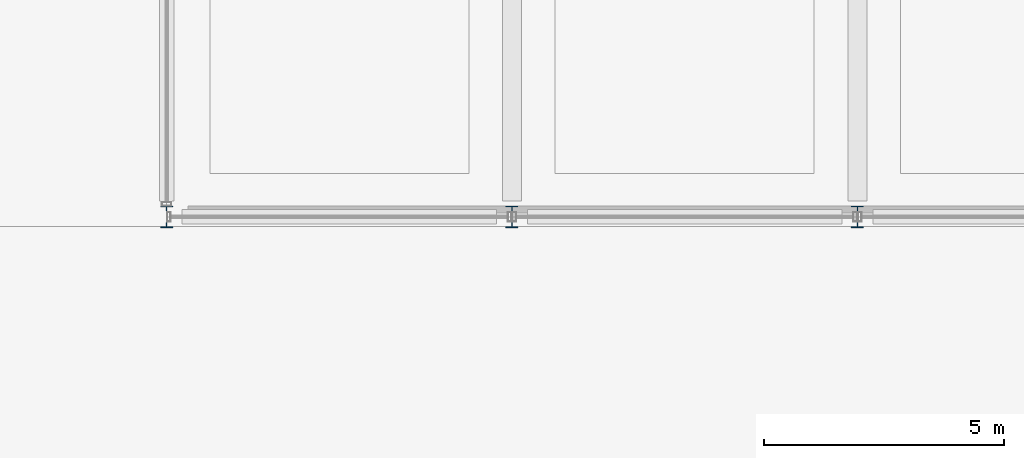
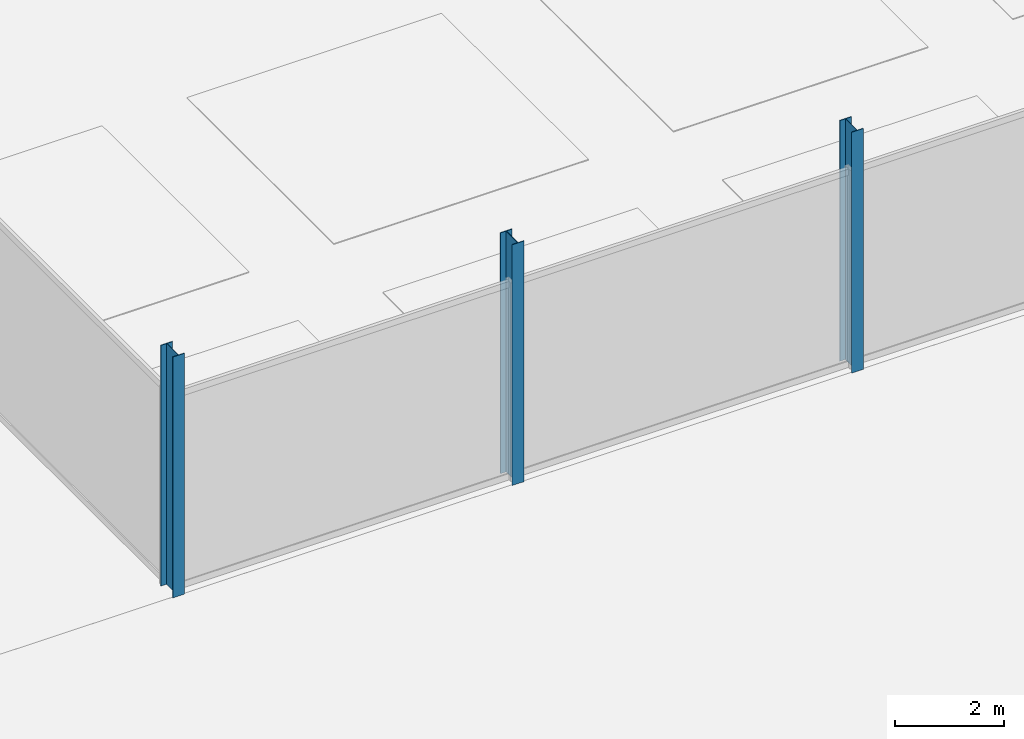
# One storey, part 4 of 90: 3 columns.
"""IFC4 building model written with IfcOpenShell, lengths in metres."""

import ifcopenshell
import ifcopenshell.guid

model = None  # the IFC model being written
_history = None  # IfcOwnerHistory: only IFC2X3 demands one
_inside = {}  # id of a spatial element -> (the spatial element, [elements in it])
_under = {}  # id of a project, library or spatial element -> (it, [spatial elements below it])
_declared = {}  # id of a project -> (the project, [libraries it declares])
_typed = {}  # id of a type object -> (the type object, [elements of that type])
_made_of = {}  # id of a material, layer set ... -> (it, [elements and type objects made of it])


def new_model(schema):
    """Start an empty IFC model of exactly this schema.

    Asked for "IFC4X3", IfcOpenShell would pick the latest addendum, in which some entities
    have other attributes; the version numbers below select the first issue.
    IFC2X3 requires an IfcOwnerHistory on every rooted entity: one is made here for all.
    """
    global model, _history
    if schema == "IFC4X3":
        model = ifcopenshell.file(schema_version=(4, 3, 0, 0))
    else:
        model = ifcopenshell.file(schema=schema)
    _inside.clear()
    _under.clear()
    _declared.clear()
    _typed.clear()
    _made_of.clear()
    _history = None
    if model.schema == "IFC2X3":
        org = make("IfcOrganization", Name="unknown")
        user = make(
            "IfcPersonAndOrganization",
            ThePerson=make("IfcPerson", FamilyName="unknown"),
            TheOrganization=org,
        )
        app = make(
            "IfcApplication",
            ApplicationDeveloper=org,
            Version="unknown",
            ApplicationFullName="unknown",
            ApplicationIdentifier="unknown",
        )
        _history = make(
            "IfcOwnerHistory",
            OwningUser=user,
            OwningApplication=app,
            ChangeAction="ADDED",
            CreationDate=0,
        )
    return model


def make(cls, **values):
    """One entity of the class cls with the attributes given. An attribute that is None is left unset."""
    return model.create_entity(
        cls, **{name: value for name, value in values.items() if value is not None}
    )


def rooted(cls, **values):
    """An entity with a GlobalId (a new one), such as an element, a storey or a relation."""
    return make(cls, GlobalId=ifcopenshell.guid.new(), OwnerHistory=_history, **values)


def si_unit(unit_type, name, prefix=None):
    """IfcSIUnit, for example si_unit("LENGTHUNIT", "METRE", prefix="MILLI")."""
    return make("IfcSIUnit", UnitType=unit_type, Prefix=prefix, Name=name)


def assignment(units):
    """IfcUnitAssignment: the units of a project."""
    return None if units is None else make("IfcUnitAssignment", Units=units)


def point(xyz):
    """IfcCartesianPoint."""
    return None if xyz is None else make("IfcCartesianPoint", Coordinates=xyz)


def direction(xyz):
    """IfcDirection."""
    return None if xyz is None else make("IfcDirection", DirectionRatios=xyz)


def frame(location, z_axis=None, x_axis=None):
    """IfcAxis2Placement3D, a coordinate frame: its origin and axes. An axis left out is left unset."""
    return make(
        "IfcAxis2Placement3D",
        Location=point(location),
        Axis=direction(z_axis),
        RefDirection=direction(x_axis),
    )


def frame_2d(location, x_axis=None):
    """IfcAxis2Placement2D, a coordinate frame in the plane: its origin and x axis."""
    return make(
        "IfcAxis2Placement2D", Location=point(location), RefDirection=direction(x_axis)
    )


def origin():
    """The frame at (0, 0, 0) with its axes left unset."""
    return frame((0.0, 0.0, 0.0))


def origin_2d():
    """The frame at (0, 0) in the plane with its x axis left unset."""
    return frame_2d((0.0, 0.0))


def place(relative_to, where):
    """IfcLocalPlacement: puts the frame where relative to a parent placement (None: the world)."""
    return make(
        "IfcLocalPlacement", PlacementRelTo=relative_to, RelativePlacement=where
    )


def context(
    kind, dimensions, precision=None, world=None, true_north=None, identifier=None
):
    """IfcGeometricRepresentationContext, for example the 3D "Model" context."""
    return make(
        "IfcGeometricRepresentationContext",
        ContextIdentifier=identifier,
        ContextType=kind,
        CoordinateSpaceDimension=dimensions,
        Precision=precision,
        WorldCoordinateSystem=world,
        TrueNorth=true_north,
    )


def subcontext(parent, identifier, kind, view, scale=None):
    """IfcGeometricRepresentationSubContext, for example "Body" below "Model"."""
    return make(
        "IfcGeometricRepresentationSubContext",
        ContextIdentifier=identifier,
        ContextType=kind,
        ParentContext=parent,
        TargetScale=scale,
        TargetView=view,
    )


def project(units=None, contexts=None):
    """IfcProject with its units and contexts."""
    return rooted(
        "IfcProject",
        Name="project",
        RepresentationContexts=contexts,
        UnitsInContext=assignment(units),
    )


def spatial(cls, under=None, at=None, **own):
    """A site, building, storey or space (cls), placed at a placement, below another one or the project."""
    s = rooted(cls, ObjectPlacement=at, **own)
    if under is not None:
        _under.setdefault(under.id(), (under, []))[1].append(s)
    return s


def profile(cls, at=None, kind="AREA", **sizes):
    """A parametric profile (cls). Its sizes go by their IFC names, for example OverallWidth=200.0."""
    return make(cls, ProfileType=kind, Position=at, **sizes)


def i_section(**sizes):
    """IfcIShapeProfileDef."""
    return profile("IfcIShapeProfileDef", **sizes)


def extrude(swept, where, along, depth):
    """IfcExtrudedAreaSolid: the profile swept, set in the frame where, extruded along a direction by depth."""
    return make(
        "IfcExtrudedAreaSolid",
        SweptArea=swept,
        Position=where,
        ExtrudedDirection=direction(along),
        Depth=depth,
    )


def shape(context_of_items, identifier, shape_type, items):
    """IfcShapeRepresentation: the items that make up one representation, for example the "Body"."""
    return make(
        "IfcShapeRepresentation",
        ContextOfItems=context_of_items,
        RepresentationIdentifier=identifier,
        RepresentationType=shape_type,
        Items=items,
    )


def material(Name=None, Category=None):
    """IfcMaterial."""
    return make("IfcMaterial", Name=Name, Category=Category)


def material_profile(
    of_material, cross_section, Name=None, Category=None, Priority=None
):
    """IfcMaterialProfile: a cross section and its material."""
    return make(
        "IfcMaterialProfile",
        Name=Name,
        Material=of_material,
        Profile=cross_section,
        Priority=Priority,
        Category=Category,
    )


def profile_set(profiles, Name=None, composite=None):
    """IfcMaterialProfileSet."""
    return make(
        "IfcMaterialProfileSet",
        Name=Name,
        MaterialProfiles=profiles,
        CompositeProfile=composite,
    )


def made_of(thing, what):
    """Note that an element or type object is made of a material, layer set ...; save() writes the relation."""
    if what is not None:
        _made_of.setdefault(what.id(), (what, []))[1].append(thing)
    return thing


def type_object(cls, material=None, **own):
    """A type object (cls), such as IfcWallType, which elements share."""
    return made_of(rooted(cls, **own), material)


def element(
    cls,
    number,
    at=None,
    inside=None,
    cuts=None,
    type_object=None,
    material=None,
    context=None,
    identifier="Body",
    shape_type=None,
    held_by="IfcProductDefinitionShape",
    body=None,
    shapes=None,
    **own,
):
    """One element of the class cls, such as IfcWall. Its Tag is "e" and its number.

    at: its placement. inside: the storey or other place that contains it. cuts: it is an
    opening in that element (IfcRelVoidsElement). A single representation is given by context,
    identifier, shape_type and body (its items); several are given by shapes. held_by: the class
    of the entity that holds the representations. save() writes the other relations.
    """
    e = rooted(cls, Tag="e%d" % number, ObjectPlacement=at, **own)
    if body is not None:
        shapes = [shape(context, identifier, shape_type, body)]
    if shapes is not None:
        e.Representation = make(held_by, Representations=shapes)
    if inside is not None:
        _inside.setdefault(inside.id(), (inside, []))[1].append(e)
    if cuts is not None:
        rooted(
            "IfcRelVoidsElement", RelatingBuildingElement=cuts, RelatedOpeningElement=e
        )
    if type_object is not None:
        _typed.setdefault(type_object.id(), (type_object, []))[1].append(e)
    return made_of(e, material)


def aggregate(whole, parts):
    """IfcRelAggregates: a whole, such as a stair, and the parts it consists of."""
    return rooted("IfcRelAggregates", RelatingObject=whole, RelatedObjects=parts)


def save(model, path):
    """Write the relations noted so far, then the file.

    IfcRelAggregates (storeys below a building ...), IfcRelContainedInSpatialStructure (elements
    in a storey), IfcRelDefinesByType, IfcRelAssociatesMaterial and IfcRelDeclares: one each for
    every whole, place, type object, material and project.
    """
    for whole, parts in _under.values():
        aggregate(whole, parts)
    for where, things in _inside.values():
        rooted(
            "IfcRelContainedInSpatialStructure",
            RelatedElements=things,
            RelatingStructure=where,
        )
    for kind, things in _typed.values():
        rooted("IfcRelDefinesByType", RelatedObjects=things, RelatingType=kind)
    for what, things in _made_of.values():
        rooted("IfcRelAssociatesMaterial", RelatedObjects=things, RelatingMaterial=what)
    for by, libraries in _declared.values():
        rooted("IfcRelDeclares", RelatingContext=by, RelatedDefinitions=libraries)
    model.write(path)


model = new_model("IFC4")

# Units and contexts
model_context = context("Model", 3, precision=1e-05, world=origin(), true_north=direction((0.0, 1.0)))
body_context = subcontext(model_context, "Body", "Model", "MODEL_VIEW")
ifc_project = project(units=[si_unit("LENGTHUNIT", "METRE"), si_unit("AREAUNIT", "SQUARE_METRE"), si_unit("VOLUMEUNIT", "CUBIC_METRE"), si_unit("PLANEANGLEUNIT", "RADIAN"), si_unit("MASSUNIT", "GRAM", prefix="KILO")], contexts=[model_context])

# Site, building, storey
site_placement = place(None, origin())
site = spatial("IfcSite", under=ifc_project, at=site_placement, CompositionType="ELEMENT")
building_placement = place(site_placement, origin())
building = spatial("IfcBuilding", under=site, at=building_placement, Name="Kangsadwip Square Police Headquarters", CompositionType="ELEMENT")
storey_placement = place(building_placement, origin())
storey = spatial("IfcBuildingStorey", under=building, at=storey_placement, Name="L00", CompositionType="ELEMENT", Elevation=0.0)

# Columns
ifc_material = material(Name="Structural steel IS 2062 E350 (Grade 350, 350 MPa)", Category="steel")
ifc_material_profile = material_profile(ifc_material, i_section(OverallWidth=0.25, OverallDepth=0.449951171875, WebThickness=0.01123046875, FlangeThickness=0.013671875, at=origin_2d()), Name="ISHB 450")
ifc_profile_set = profile_set([ifc_material_profile], Name="Structural steel IS 2062 E350 (Grade 350, 350 MPa)")
column_type = type_object("IfcColumnType", Name="SteelColIshb450", PredefinedType="COLUMN", material=ifc_profile_set)
for number, where, z_axis, x_axis, name in (
    (1, (43.199951171875, 86.39990234375, 0.0), (0.0, 0.0, 1.0), (1.0, 0.0, 0.0), "Column COL-L00-06-12"),
    (2, (50.39990234375, 86.39990234375, 0.0), (0.0, 0.0, 1.0), (1.0, 0.0, 0.0), "Column COL-L00-07-12"),
    (3, (57.60009765625, 86.39990234375, 0.0), (0.0, 0.0, 1.0), (1.0, 0.0, 0.0), "Column COL-L00-08-12"),
):
    element("IfcColumn", number, at=place(storey_placement, frame(where, z_axis=z_axis, x_axis=x_axis)), inside=storey, type_object=column_type, Name=name, PredefinedType="COLUMN", context=body_context, shape_type="SweptSolid", body=[
        extrude(i_section(OverallWidth=0.25, OverallDepth=0.449951171875, WebThickness=0.01123046875, FlangeThickness=0.013671875, at=origin_2d()), origin(), (0.0, 0.0, 1.0), 5.39990234375),
    ])

save(model, "model.ifc")
